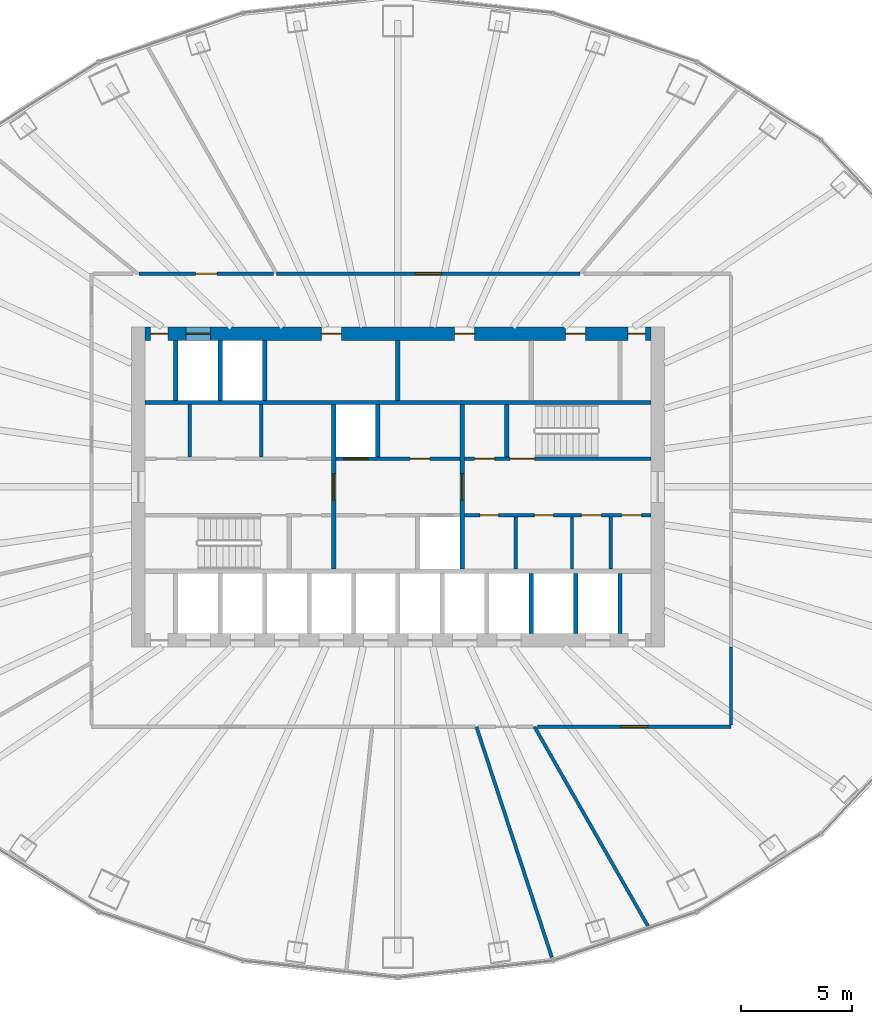
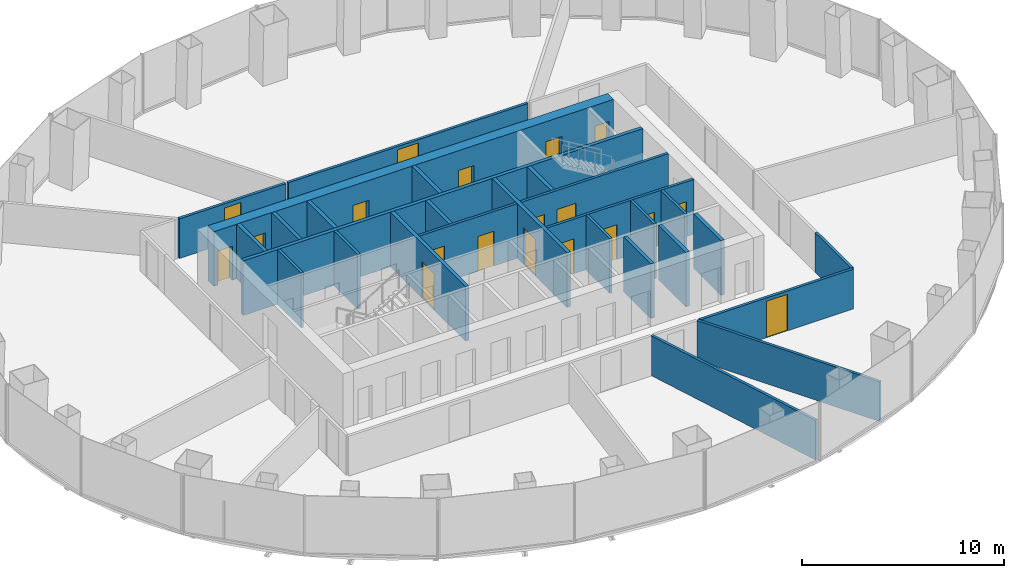
# One storey, part 9 of 11: 27 walls, 19 doors, 19 openings.
"""IFC4 building model written with IfcOpenShell, lengths in metres."""

from ifc_helpers import new_model, si_unit, direction, frame, frame_2d, origin, place, context, subcontext, project, spatial, rectangle, extrude, material, layer, layer_set, type_object, element, fill, save


model = new_model("IFC4")

# Units and contexts
model_context = context("Model", 3, precision=1e-05, world=origin(), true_north=direction((0.0, 1.0)))
body_context = subcontext(model_context, "Body", "Model", "MODEL_VIEW")
ifc_project = project(units=[si_unit("LENGTHUNIT", "METRE"), si_unit("AREAUNIT", "SQUARE_METRE"), si_unit("VOLUMEUNIT", "CUBIC_METRE"), si_unit("PLANEANGLEUNIT", "RADIAN"), si_unit("MASSUNIT", "GRAM", prefix="KILO")], contexts=[model_context])

# Site, building, storey
site_placement = place(None, origin())
site = spatial("IfcSite", under=ifc_project, at=site_placement, CompositionType="ELEMENT")
building_placement = place(site_placement, origin())
building = spatial("IfcBuilding", under=site, at=building_placement, Name="Siaravel Broadcast Tower", CompositionType="ELEMENT")
storey_placement = place(building_placement, frame((0.0, 0.0, 74.10009765625)))
storey = spatial("IfcBuildingStorey", under=building, at=storey_placement, Name="L17", CompositionType="ELEMENT", Elevation=74.10009765625)

# Walls
ifc_material_1 = material(Name="Concrete blockwork", Category="masonry")
ifc_layer_1 = layer(ifc_material_1, 0.14990234375)
ifc_layer_set_1 = layer_set([ifc_layer_1], Name="Concrete blockwork")
wall_type_1 = type_object("IfcWallType", Name="Core partition 150", PredefinedType="PARTITIONING", material=ifc_layer_set_1)
for number, where, z_axis, x_axis, name in (
    (1, (-9.381103515625, 1.35009765625, 0.0), (0.0, 0.0, 1.0), (0.0, 1.0, 0.0), "L17 core partition PNW0"),
    (2, (-6.153076171875, 1.35009765625, 0.0), (0.0, 0.0, 1.0), (0.0, 1.0, 0.0), "L17 core partition PNW1"),
    (3, (5.301025390625, -3.699951171875, 0.0), (0.0, 0.0, 1.0), (0.0, 1.0, 0.0), "L17 core partition PSE0"),
    (4, (7.8359375, -3.699951171875, 0.0), (0.0, 0.0, 1.0), (0.0, 1.0, 0.0), "L17 core partition PSE1"),
    (5, (9.575927734375, -3.699951171875, 0.0), (0.0, 0.0, 1.0), (0.0, 1.0, 0.0), "L17 core partition PSE2"),
):
    element("IfcWall", number, at=place(storey_placement, frame(where, z_axis=z_axis, x_axis=x_axis)), inside=storey, type_object=wall_type_1, Name=name, PredefinedType="PARTITIONING", context=body_context, shape_type="SweptSolid", body=[
        extrude(rectangle(XDim=2.349853515625, YDim=0.14990234375, at=frame_2d((1.1748046875, 0.0))), origin(), (0.0, 0.0, 1.0), 3.2998046875),
    ])
ifc_layer_2 = layer(ifc_material_1, 0.199951171875)
ifc_layer_set_2 = layer_set([ifc_layer_2], Name="Concrete blockwork")
wall_type_2 = type_object("IfcWallType", Name="Core partition 200", PredefinedType="PARTITIONING", material=ifc_layer_set_2)
wall_1_placement = place(storey_placement, frame((0.0, 3.89990234375, 0.0), z_axis=(0.0, 0.0, 1.0), x_axis=(0.0, 1.0, 0.0)))
element("IfcWall", 6, at=wall_1_placement, inside=storey, type_object=wall_type_2, Name="L17 core partition PFN2", PredefinedType="PARTITIONING", context=body_context, shape_type="SweptSolid", body=[
    extrude(rectangle(XDim=2.7001953125, YDim=0.199951171875, at=frame_2d((1.35009765625, 0.0))), origin(), (0.0, 0.0, 1.0), 3.2998046875),
])

# Wall, openings, doors
ifc_material_2 = material(Name="Concrete C60/75", Category="concrete")
ifc_layer_3 = layer(ifc_material_2, 0.60009765625)
ifc_layer_set_3 = layer_set([ifc_layer_3], Name="Concrete C60/75")
wall_type_3 = type_object("IfcWallType", Name="Core wall 600", PredefinedType="SHEAR", material=ifc_layer_set_3)
wall_2_placement = place(storey_placement, frame((-11.39990234375, 6.89990234375, 0.0), z_axis=(0.0, 0.0, 1.0), x_axis=(1.0, 0.0, 0.0)))
wall_2 = element("IfcWall", 7, at=wall_2_placement, inside=storey, type_object=wall_type_3, Name="L17 core wall ON", PredefinedType="SHEAR", context=body_context, shape_type="SweptSolid", body=[
    extrude(rectangle(XDim=22.7998046875, YDim=0.60009765625, at=frame_2d((11.39990234375, 0.0))), origin(), (0.0, 0.0, 1.0), 3.2998046875),
])
opening_1_placement = place(wall_2_placement, frame((1.85009765625, 0.0, 0.0)))
opening_1 = element("IfcOpeningElement", 8, at=opening_1_placement, cuts=wall_2, Name="Opening LD-SV2-L17", PredefinedType="OPENING", context=body_context, shape_type="SweptSolid", body=[
    extrude(rectangle(XDim=1.10009765625, YDim=2.199951171875, at=frame_2d((0.550048828125, 1.10009765625))), frame((0.0, 0.31005859375, 0.0), z_axis=(0.0, -1.0, 0.0), x_axis=(1.0, 0.0, 0.0)), (0.0, 0.0, 1.0), 0.6201171875),
])
opening_2_placement = place(wall_2_placement, frame((7.949951171875, 0.0, 0.0)))
opening_2 = element("IfcOpeningElement", 9, at=opening_2_placement, cuts=wall_2, Name="Opening L17-DFN2", PredefinedType="OPENING", context=body_context, shape_type="SweptSolid", body=[
    extrude(rectangle(XDim=0.89990234375, YDim=2.10009765625, at=frame_2d((0.449951171875, 1.050048828125))), frame((0.0, 0.31005859375, 0.0), z_axis=(0.0, -1.0, 0.0), x_axis=(1.0, 0.0, 0.0)), (0.0, 0.0, 1.0), 0.6201171875),
])
opening_3_placement = place(wall_2_placement, frame((13.949951171875, 0.0, 0.0)))
opening_3 = element("IfcOpeningElement", 10, at=opening_3_placement, cuts=wall_2, Name="Opening L17-DFN5", PredefinedType="OPENING", context=body_context, shape_type="SweptSolid", body=[
    extrude(rectangle(XDim=0.89990234375, YDim=2.10009765625, at=frame_2d((0.449951171875, 1.050048828125))), frame((0.0, 0.31005859375, 0.0), z_axis=(0.0, -1.0, 0.0), x_axis=(1.0, 0.0, 0.0)), (0.0, 0.0, 1.0), 0.6201171875),
])
opening_4_placement = place(wall_2_placement, frame((18.949951171875, 0.0, 0.0)))
opening_4 = element("IfcOpeningElement", 11, at=opening_4_placement, cuts=wall_2, Name="Opening L17-DFN8", PredefinedType="OPENING", context=body_context, shape_type="SweptSolid", body=[
    extrude(rectangle(XDim=0.89990234375, YDim=2.10009765625, at=frame_2d((0.449951171875, 1.050048828125))), frame((0.0, 0.31005859375, 0.0), z_axis=(0.0, -1.0, 0.0), x_axis=(1.0, 0.0, 0.0)), (0.0, 0.0, 1.0), 0.6201171875),
])
opening_5_placement = place(wall_2_placement, frame((0.25, 0.0, 0.0)))
opening_5 = element("IfcOpeningElement", 12, at=opening_5_placement, cuts=wall_2, Name="Opening L17-DRNW", PredefinedType="OPENING", context=body_context, shape_type="SweptSolid", body=[
    extrude(rectangle(XDim=0.800048828125, YDim=2.050048828125, at=frame_2d((0.39990234375, 1.02490234375))), frame((0.0, 0.31005859375, 0.0), z_axis=(0.0, -1.0, 0.0), x_axis=(1.0, 0.0, 0.0)), (0.0, 0.0, 1.0), 0.6201171875),
])
opening_6_placement = place(wall_2_placement, frame((21.75, 0.0, 0.0)))
opening_6 = element("IfcOpeningElement", 13, at=opening_6_placement, cuts=wall_2, Name="Opening L17-DRNE", PredefinedType="OPENING", context=body_context, shape_type="SweptSolid", body=[
    extrude(rectangle(XDim=0.800048828125, YDim=2.050048828125, at=frame_2d((0.39990234375, 1.02490234375))), frame((0.0, 0.31005859375, 0.0), z_axis=(0.0, -1.0, 0.0), x_axis=(1.0, 0.0, 0.0)), (0.0, 0.0, 1.0), 0.6201171875),
])
ifc_material_3 = material(Name="Timber veneer", Category="wood")
door_type_1 = type_object("IfcDoorType", Name="Core room door 900", OperationType="SINGLE_SWING_LEFT", PredefinedType="DOOR", material=ifc_material_3)
door_1_placement = place(opening_2_placement, origin())
door_1 = element("IfcDoor", 14, at=door_1_placement, inside=storey, type_object=door_type_1, Name="L17 door DFN2", OperationType="SINGLE_SWING_LEFT", OverallHeight=2.10009765625, OverallWidth=0.89990234375, PredefinedType="DOOR", context=body_context, shape_type="SweptSolid", body=[
    extrude(rectangle(XDim=0.89990234375, YDim=2.10009765625, at=frame_2d((0.449951171875, 1.050048828125))), frame((0.0, 0.02490234375, 0.0), z_axis=(0.0, -1.0, 0.0), x_axis=(1.0, 0.0, 0.0)), (0.0, 0.0, 1.0), 0.050048828125),
])
fill(opening_2, door_1)
door_2_placement = place(opening_3_placement, origin())
door_2 = element("IfcDoor", 15, at=door_2_placement, inside=storey, type_object=door_type_1, Name="L17 door DFN5", OperationType="SINGLE_SWING_LEFT", OverallHeight=2.10009765625, OverallWidth=0.89990234375, PredefinedType="DOOR", context=body_context, shape_type="SweptSolid", body=[
    extrude(rectangle(XDim=0.89990234375, YDim=2.10009765625, at=frame_2d((0.449951171875, 1.050048828125))), frame((0.0, 0.02490234375, 0.0), z_axis=(0.0, -1.0, 0.0), x_axis=(1.0, 0.0, 0.0)), (0.0, 0.0, 1.0), 0.050048828125),
])
fill(opening_3, door_2)
door_3_placement = place(opening_4_placement, origin())
door_3 = element("IfcDoor", 16, at=door_3_placement, inside=storey, type_object=door_type_1, Name="L17 door DFN8", OperationType="SINGLE_SWING_LEFT", OverallHeight=2.10009765625, OverallWidth=0.89990234375, PredefinedType="DOOR", context=body_context, shape_type="SweptSolid", body=[
    extrude(rectangle(XDim=0.89990234375, YDim=2.10009765625, at=frame_2d((0.449951171875, 1.050048828125))), frame((0.0, 0.02490234375, 0.0), z_axis=(0.0, -1.0, 0.0), x_axis=(1.0, 0.0, 0.0)), (0.0, 0.0, 1.0), 0.050048828125),
])
fill(opening_4, door_3)
ifc_material_4 = material(Name="Steel", Category="steel")
door_type_2 = type_object("IfcDoorType", Name="Riser door 800", OperationType="SINGLE_SWING_LEFT", PredefinedType="DOOR", material=ifc_material_4)
door_4_placement = place(opening_5_placement, origin())
door_4 = element("IfcDoor", 17, at=door_4_placement, inside=storey, type_object=door_type_2, Name="L17 door DRNW", OperationType="SINGLE_SWING_LEFT", OverallHeight=2.050048828125, OverallWidth=0.800048828125, PredefinedType="DOOR", context=body_context, shape_type="SweptSolid", body=[
    extrude(rectangle(XDim=0.800048828125, YDim=2.050048828125, at=frame_2d((0.39990234375, 1.02490234375))), frame((0.0, 0.02490234375, 0.0), z_axis=(0.0, -1.0, 0.0), x_axis=(1.0, 0.0, 0.0)), (0.0, 0.0, 1.0), 0.050048828125),
])
fill(opening_5, door_4)
door_5_placement = place(opening_6_placement, origin())
door_5 = element("IfcDoor", 18, at=door_5_placement, inside=storey, type_object=door_type_2, Name="L17 door DRNE", OperationType="SINGLE_SWING_LEFT", OverallHeight=2.050048828125, OverallWidth=0.800048828125, PredefinedType="DOOR", context=body_context, shape_type="SweptSolid", body=[
    extrude(rectangle(XDim=0.800048828125, YDim=2.050048828125, at=frame_2d((0.39990234375, 1.02490234375))), frame((0.0, 0.02490234375, 0.0), z_axis=(0.0, -1.0, 0.0), x_axis=(1.0, 0.0, 0.0)), (0.0, 0.0, 1.0), 0.050048828125),
])
fill(opening_6, door_5)
ifc_material_5 = material(Name="Stainless steel 316L", Category="steel")
door_type_3 = type_object("IfcDoorType", Name="Service lift landing door 1100", OperationType="DOUBLE_DOOR_SLIDING", PredefinedType="DOOR", material=ifc_material_5)
door_6_placement = place(opening_1_placement, origin())
door_6 = element("IfcDoor", 19, at=door_6_placement, inside=storey, type_object=door_type_3, Name="Landing door SV2 L17", OperationType="DOUBLE_DOOR_SLIDING", OverallHeight=2.199951171875, OverallWidth=1.10009765625, PredefinedType="DOOR", context=body_context, shape_type="SweptSolid", body=[
    extrude(rectangle(XDim=1.10009765625, YDim=2.199951171875, at=frame_2d((0.550048828125, 1.10009765625))), frame((0.0, 0.02490234375, 0.0), z_axis=(0.0, -1.0, 0.0), x_axis=(1.0, 0.0, 0.0)), (0.0, 0.0, 1.0), 0.050048828125),
])
fill(opening_1, door_6)

ifc_material_6 = material(Name="Gypsum board partition", Category="gypsum")
ifc_layer_4 = layer(ifc_material_6, 0.14990234375)
ifc_layer_set_4 = layer_set([ifc_layer_4], Name="Gypsum board partition")
wall_type_4 = type_object("IfcWallType", Name="Corridor wall 150", PredefinedType="PARTITIONING", material=ifc_layer_set_4)
wall_3_placement = place(storey_placement, frame((3.0, -1.27490234375, 0.0), z_axis=(0.0, 0.0, 1.0), x_axis=(1.0, 0.0, 0.0)))
wall_3 = element("IfcWall", 20, at=wall_3_placement, inside=storey, type_object=wall_type_4, Name="L17 core partition CSE", PredefinedType="PARTITIONING", context=body_context, shape_type="SweptSolid", body=[
    extrude(rectangle(XDim=8.39990234375, YDim=0.14990234375, at=frame_2d((4.199951171875, 0.0))), origin(), (0.0, 0.0, 1.0), 3.2998046875),
])
opening_7_placement = place(wall_3_placement, frame((0.68798828125, 0.0, 0.0)))
opening_7 = element("IfcOpeningElement", 21, at=opening_7_placement, cuts=wall_3, Name="Opening L17-DSE0", PredefinedType="OPENING", context=body_context, shape_type="SweptSolid", body=[
    extrude(rectangle(XDim=0.85009765625, YDim=2.10009765625, at=frame_2d((0.425048828125, 1.050048828125))), frame((0.0, 0.0849609375, 0.0), z_axis=(0.0, -1.0, 0.0), x_axis=(1.0, 0.0, 0.0)), (0.0, 0.0, 1.0), 0.169921875),
])
opening_8_placement = place(wall_3_placement, frame((3.1435546875, 0.0, 0.0)))
opening_8 = element("IfcOpeningElement", 22, at=opening_8_placement, cuts=wall_3, Name="Opening L17-DSE1", PredefinedType="OPENING", context=body_context, shape_type="SweptSolid", body=[
    extrude(rectangle(XDim=0.85009765625, YDim=2.10009765625, at=frame_2d((0.425048828125, 1.050048828125))), frame((0.0, 0.0849609375, 0.0), z_axis=(0.0, -1.0, 0.0), x_axis=(1.0, 0.0, 0.0)), (0.0, 0.0, 1.0), 0.169921875),
])
opening_9_placement = place(wall_3_placement, frame((5.256103515625, 0.0, 0.0)))
opening_9 = element("IfcOpeningElement", 23, at=opening_9_placement, cuts=wall_3, Name="Opening L17-DSE2", PredefinedType="OPENING", context=body_context, shape_type="SweptSolid", body=[
    extrude(rectangle(XDim=0.89990234375, YDim=2.10009765625, at=frame_2d((0.449951171875, 1.050048828125))), frame((0.0, 0.0849609375, 0.0), z_axis=(0.0, -1.0, 0.0), x_axis=(1.0, 0.0, 0.0)), (0.0, 0.0, 1.0), 0.169921875),
])
opening_10_placement = place(wall_3_placement, frame((7.075439453125, 0.0, 0.0)))
opening_10 = element("IfcOpeningElement", 24, at=opening_10_placement, cuts=wall_3, Name="Opening L17-DSE3", PredefinedType="OPENING", context=body_context, shape_type="SweptSolid", body=[
    extrude(rectangle(XDim=0.89990234375, YDim=2.10009765625, at=frame_2d((0.449951171875, 1.050048828125))), frame((0.0, 0.0849609375, 0.0), z_axis=(0.0, -1.0, 0.0), x_axis=(1.0, 0.0, 0.0)), (0.0, 0.0, 1.0), 0.169921875),
])
door_7_placement = place(opening_9_placement, origin())
door_7 = element("IfcDoor", 25, at=door_7_placement, inside=storey, type_object=door_type_1, Name="L17 door DSE2", OperationType="SINGLE_SWING_LEFT", OverallHeight=2.10009765625, OverallWidth=0.89990234375, PredefinedType="DOOR", context=body_context, shape_type="SweptSolid", body=[
    extrude(rectangle(XDim=0.89990234375, YDim=2.10009765625, at=frame_2d((0.449951171875, 1.050048828125))), frame((0.0, 0.02490234375, 0.0), z_axis=(0.0, -1.0, 0.0), x_axis=(1.0, 0.0, 0.0)), (0.0, 0.0, 1.0), 0.050048828125),
])
fill(opening_9, door_7)
door_8_placement = place(opening_10_placement, origin())
door_8 = element("IfcDoor", 26, at=door_8_placement, inside=storey, type_object=door_type_1, Name="L17 door DSE3", OperationType="SINGLE_SWING_LEFT", OverallHeight=2.10009765625, OverallWidth=0.89990234375, PredefinedType="DOOR", context=body_context, shape_type="SweptSolid", body=[
    extrude(rectangle(XDim=0.89990234375, YDim=2.10009765625, at=frame_2d((0.449951171875, 1.050048828125))), frame((0.0, 0.02490234375, 0.0), z_axis=(0.0, -1.0, 0.0), x_axis=(1.0, 0.0, 0.0)), (0.0, 0.0, 1.0), 0.050048828125),
])
fill(opening_10, door_8)
door_type_4 = type_object("IfcDoorType", Name="Core toilet door 850", OperationType="SINGLE_SWING_LEFT", PredefinedType="DOOR", material=ifc_material_3)
door_9_placement = place(opening_7_placement, origin())
door_9 = element("IfcDoor", 27, at=door_9_placement, inside=storey, type_object=door_type_4, Name="L17 door DSE0", OperationType="SINGLE_SWING_LEFT", OverallHeight=2.10009765625, OverallWidth=0.85009765625, PredefinedType="DOOR", context=body_context, shape_type="SweptSolid", body=[
    extrude(rectangle(XDim=0.85009765625, YDim=2.10009765625, at=frame_2d((0.425048828125, 1.050048828125))), frame((0.0, 0.02490234375, 0.0), z_axis=(0.0, -1.0, 0.0), x_axis=(1.0, 0.0, 0.0)), (0.0, 0.0, 1.0), 0.050048828125),
])
fill(opening_7, door_9)
door_10_placement = place(opening_8_placement, origin())
door_10 = element("IfcDoor", 28, at=door_10_placement, inside=storey, type_object=door_type_4, Name="L17 door DSE1", OperationType="SINGLE_SWING_LEFT", OverallHeight=2.10009765625, OverallWidth=0.85009765625, PredefinedType="DOOR", context=body_context, shape_type="SweptSolid", body=[
    extrude(rectangle(XDim=0.85009765625, YDim=2.10009765625, at=frame_2d((0.425048828125, 1.050048828125))), frame((0.0, 0.02490234375, 0.0), z_axis=(0.0, -1.0, 0.0), x_axis=(1.0, 0.0, 0.0)), (0.0, 0.0, 1.0), 0.050048828125),
])
fill(opening_8, door_10)

# Wall, opening, door
wall_4_placement = place(storey_placement, frame((8.206298828125, 9.60009765625, 0.0), z_axis=(0.0, 0.0, 1.0), x_axis=(-1.0, 0.0, 0.0)))
wall_4 = element("IfcWall", 29, at=wall_4_placement, inside=storey, type_object=wall_type_4, Name="L17 partition 1", PredefinedType="PARTITIONING", context=body_context, shape_type="SweptSolid", body=[
    extrude(rectangle(XDim=13.67138671875, YDim=0.14990234375, at=frame_2d((6.835693359375, 0.0))), origin(), (0.0, 0.0, 1.0), 2.39990234375),
])
opening_11_placement = place(wall_4_placement, frame((6.23583984375, 0.0, 0.0)))
opening_11 = element("IfcOpeningElement", 30, at=opening_11_placement, cuts=wall_4, Name="Opening L17-005", PredefinedType="OPENING", context=body_context, shape_type="SweptSolid", body=[
    extrude(rectangle(XDim=1.199951171875, YDim=2.199951171875, at=frame_2d((0.60009765625, 1.10009765625))), frame((0.0, 0.0849609375, 0.0), z_axis=(0.0, -1.0, 0.0), x_axis=(1.0, 0.0, 0.0)), (0.0, 0.0, 1.0), 0.169921875),
])
door_type_5 = type_object("IfcDoorType", Name="Office double door 1200", OperationType="DOUBLE_DOOR_SINGLE_SWING", PredefinedType="DOOR", material=ifc_material_3)
door_11_placement = place(opening_11_placement, origin())
door_11 = element("IfcDoor", 31, at=door_11_placement, inside=storey, type_object=door_type_5, Name="L17 door to Open plan newsroom", OperationType="DOUBLE_DOOR_SINGLE_SWING", OverallHeight=2.199951171875, OverallWidth=1.199951171875, PredefinedType="DOOR", context=body_context, shape_type="SweptSolid", body=[
    extrude(rectangle(XDim=1.199951171875, YDim=2.199951171875, at=frame_2d((0.60009765625, 1.10009765625))), frame((0.0, 0.02490234375, 0.0), z_axis=(0.0, -1.0, 0.0), x_axis=(1.0, 0.0, 0.0)), (0.0, 0.0, 1.0), 0.050048828125),
])
fill(opening_11, door_11)

wall_5_placement = place(storey_placement, frame((6.279296875, -10.800048828125, 0.0), z_axis=(0.0, 0.0, 1.0), x_axis=(1.0, 0.0, 0.0)))
wall_5 = element("IfcWall", 32, at=wall_5_placement, inside=storey, type_object=wall_type_4, Name="L17 partition 13", PredefinedType="PARTITIONING", context=body_context, shape_type="SweptSolid", body=[
    extrude(rectangle(XDim=8.720703125, YDim=0.14990234375, at=frame_2d((4.3603515625, 0.0))), origin(), (0.0, 0.0, 1.0), 2.39990234375),
])
opening_12_placement = place(wall_5_placement, frame((3.760498046875, 0.0, 0.0)))
opening_12 = element("IfcOpeningElement", 33, at=opening_12_placement, cuts=wall_5, Name="Opening L17-001", PredefinedType="OPENING", context=body_context, shape_type="SweptSolid", body=[
    extrude(rectangle(XDim=1.199951171875, YDim=2.199951171875, at=frame_2d((0.60009765625, 1.10009765625))), frame((0.0, 0.0849609375, 0.0), z_axis=(0.0, -1.0, 0.0), x_axis=(1.0, 0.0, 0.0)), (0.0, 0.0, 1.0), 0.169921875),
])
door_12_placement = place(opening_12_placement, origin())
door_12 = element("IfcDoor", 34, at=door_12_placement, inside=storey, type_object=door_type_5, Name="L17 door to Open plan newsroom", OperationType="DOUBLE_DOOR_SINGLE_SWING", OverallHeight=2.199951171875, OverallWidth=1.199951171875, PredefinedType="DOOR", context=body_context, shape_type="SweptSolid", body=[
    extrude(rectangle(XDim=1.199951171875, YDim=2.199951171875, at=frame_2d((0.60009765625, 1.10009765625))), frame((0.0, 0.02490234375, 0.0), z_axis=(0.0, -1.0, 0.0), x_axis=(1.0, 0.0, 0.0)), (0.0, 0.0, 1.0), 0.050048828125),
])
fill(opening_12, door_12)

wall_6_placement = place(storey_placement, frame((-5.59619140625, 9.60009765625, 0.0), z_axis=(0.0, 0.0, 1.0), x_axis=(-1.0, 0.0, 0.0)))
wall_6 = element("IfcWall", 35, at=wall_6_placement, inside=storey, type_object=wall_type_4, Name="L17 partition 16", PredefinedType="PARTITIONING", context=body_context, shape_type="SweptSolid", body=[
    extrude(rectangle(XDim=6.07421875, YDim=0.14990234375, at=frame_2d((3.037109375, 0.0))), origin(), (0.0, 0.0, 1.0), 2.39990234375),
])
opening_13_placement = place(wall_6_placement, frame((2.562255859375, 0.0, 0.0)))
opening_13 = element("IfcOpeningElement", 36, at=opening_13_placement, cuts=wall_6, Name="Opening L17-006", PredefinedType="OPENING", context=body_context, shape_type="SweptSolid", body=[
    extrude(rectangle(XDim=0.949951171875, YDim=2.14990234375, at=frame_2d((0.47509765625, 1.074951171875))), frame((0.0, 0.0849609375, 0.0), z_axis=(0.0, -1.0, 0.0), x_axis=(1.0, 0.0, 0.0)), (0.0, 0.0, 1.0), 0.169921875),
])
door_type_6 = type_object("IfcDoorType", Name="Office door 950", OperationType="SINGLE_SWING_LEFT", PredefinedType="DOOR", material=ifc_material_3)
door_13_placement = place(opening_13_placement, origin())
door_13 = element("IfcDoor", 37, at=door_13_placement, inside=storey, type_object=door_type_6, Name="L17 door to Production office", OperationType="SINGLE_SWING_RIGHT", OverallHeight=2.14990234375, OverallWidth=0.949951171875, PredefinedType="DOOR", context=body_context, shape_type="SweptSolid", body=[
    extrude(rectangle(XDim=0.949951171875, YDim=2.14990234375, at=frame_2d((0.47509765625, 1.074951171875))), frame((0.0, 0.02490234375, 0.0), z_axis=(0.0, -1.0, 0.0), x_axis=(1.0, 0.0, 0.0)), (0.0, 0.0, 1.0), 0.050048828125),
])
fill(opening_13, door_13)

# Walls
wall_7_placement = place(storey_placement, frame((15.0, -10.722900390625, 0.0), z_axis=(0.0, 0.0, 1.0), x_axis=(0.0, 1.0, 0.0)))
element("IfcWall", 38, at=wall_7_placement, inside=storey, type_object=wall_type_4, Name="L17 partition 20", PredefinedType="PARTITIONING", context=body_context, shape_type="SweptSolid", body=[
    extrude(rectangle(XDim=3.510009765625, YDim=0.14990234375, at=frame_2d((1.7548828125, 0.0))), origin(), (0.0, 0.0, 1.0), 2.39990234375),
])
ifc_layer_5 = layer(ifc_material_6, 0.14990234375)
ifc_layer_set_5 = layer_set([ifc_layer_5], Name="Gypsum board partition")
wall_type_5 = type_object("IfcWallType", Name="Room partition 150", PredefinedType="PARTITIONING", material=ifc_layer_set_5)
wall_8_placement = place(storey_placement, frame((6.928466796875, -21.179931640625, 0.0), z_axis=(0.0, 0.0, 1.0), x_axis=(-0.310911297, 0.950438933, 0.0)))
element("IfcWall", 39, at=wall_8_placement, inside=storey, type_object=wall_type_5, Name="L17 partition 8", PredefinedType="PARTITIONING", context=body_context, shape_type="SweptSolid", body=[
    extrude(rectangle(XDim=10.921142578125, YDim=0.14990234375, at=frame_2d((5.46044921875, 0.0))), origin(), (0.0, 0.0, 1.0), 2.39990234375),
])
wall_9_placement = place(storey_placement, frame((6.148193359375, -10.800048828125, 0.0), z_axis=(0.0, 0.0, 1.0), x_axis=(0.494733163, -0.869044934, 0.0)))
element("IfcWall", 40, at=wall_9_placement, inside=storey, type_object=wall_type_5, Name="L17 partition 9", PredefinedType="PARTITIONING", context=body_context, shape_type="SweptSolid", body=[
    extrude(rectangle(XDim=10.44091796875, YDim=0.14990234375, at=frame_2d((5.220458984375, 0.0))), origin(), (0.0, 0.0, 1.0), 2.39990234375),
])

# Wall, openings, doors
ifc_layer_6 = layer(ifc_material_2, 0.14990234375)
ifc_layer_set_6 = layer_set([ifc_layer_6], Name="Concrete C60/75")
wall_type_6 = type_object("IfcWallType", Name="Shaft wall 150", PredefinedType="SHEAR", material=ifc_layer_set_6)
wall_10_placement = place(storey_placement, frame((-2.800048828125, 1.27490234375, 0.0), z_axis=(0.0, 0.0, 1.0), x_axis=(1.0, 0.0, 0.0)))
wall_10 = element("IfcWall", 41, at=wall_10_placement, inside=storey, type_object=wall_type_6, Name="L17 core wall CNM", PredefinedType="SHEAR", context=body_context, shape_type="SweptSolid", body=[
    extrude(rectangle(XDim=5.60009765625, YDim=0.14990234375, at=frame_2d((2.800048828125, 0.0))), origin(), (0.0, 0.0, 1.0), 3.2998046875),
])
opening_14_placement = place(wall_10_placement, frame((0.35009765625, 0.0, 0.0)))
opening_14 = element("IfcOpeningElement", 42, at=opening_14_placement, cuts=wall_10, Name="Opening LD-FL1-L17", PredefinedType="OPENING", context=body_context, shape_type="SweptSolid", body=[
    extrude(rectangle(XDim=1.10009765625, YDim=2.199951171875, at=frame_2d((0.550048828125, 1.10009765625))), frame((0.0, 0.0849609375, 0.0), z_axis=(0.0, -1.0, 0.0), x_axis=(1.0, 0.0, 0.0)), (0.0, 0.0, 1.0), 0.169921875),
])
opening_15_placement = place(wall_10_placement, frame((3.35009765625, 0.0, 0.0)))
opening_15 = element("IfcOpeningElement", 43, at=opening_15_placement, cuts=wall_10, Name="Opening L17-DNM0", PredefinedType="OPENING", context=body_context, shape_type="SweptSolid", body=[
    extrude(rectangle(XDim=0.89990234375, YDim=2.10009765625, at=frame_2d((0.449951171875, 1.050048828125))), frame((0.0, 0.0849609375, 0.0), z_axis=(0.0, -1.0, 0.0), x_axis=(1.0, 0.0, 0.0)), (0.0, 0.0, 1.0), 0.169921875),
])
door_14_placement = place(opening_15_placement, origin())
door_14 = element("IfcDoor", 44, at=door_14_placement, inside=storey, type_object=door_type_1, Name="L17 door DNM0", OperationType="SINGLE_SWING_LEFT", OverallHeight=2.10009765625, OverallWidth=0.89990234375, PredefinedType="DOOR", context=body_context, shape_type="SweptSolid", body=[
    extrude(rectangle(XDim=0.89990234375, YDim=2.10009765625, at=frame_2d((0.449951171875, 1.050048828125))), frame((0.0, 0.02490234375, 0.0), z_axis=(0.0, -1.0, 0.0), x_axis=(1.0, 0.0, 0.0)), (0.0, 0.0, 1.0), 0.050048828125),
])
fill(opening_15, door_14)
door_type_7 = type_object("IfcDoorType", Name="Firefighting lift landing door 1100", OperationType="DOUBLE_DOOR_SLIDING", PredefinedType="DOOR", material=ifc_material_5)
door_15_placement = place(opening_14_placement, origin())
door_15 = element("IfcDoor", 45, at=door_15_placement, inside=storey, type_object=door_type_7, Name="Landing door FL1 L17", OperationType="DOUBLE_DOOR_SLIDING", OverallHeight=2.199951171875, OverallWidth=1.10009765625, PredefinedType="DOOR", context=body_context, shape_type="SweptSolid", body=[
    extrude(rectangle(XDim=1.10009765625, YDim=2.199951171875, at=frame_2d((0.550048828125, 1.10009765625))), frame((0.0, 0.02490234375, 0.0), z_axis=(0.0, -1.0, 0.0), x_axis=(1.0, 0.0, 0.0)), (0.0, 0.0, 1.0), 0.050048828125),
])
fill(opening_14, door_15)

wall_11_placement = place(storey_placement, frame((3.0, 1.27490234375, 0.0), z_axis=(0.0, 0.0, 1.0), x_axis=(1.0, 0.0, 0.0)))
wall_11 = element("IfcWall", 46, at=wall_11_placement, inside=storey, type_object=wall_type_6, Name="L17 core wall CNE", PredefinedType="SHEAR", context=body_context, shape_type="SweptSolid", body=[
    extrude(rectangle(XDim=8.39990234375, YDim=0.14990234375, at=frame_2d((4.199951171875, 0.0))), origin(), (0.0, 0.0, 1.0), 3.2998046875),
])
opening_16_placement = place(wall_11_placement, frame((2.050048828125, 0.0, 0.0)))
opening_16 = element("IfcOpeningElement", 47, at=opening_16_placement, cuts=wall_11, Name="Opening L17-DS-2", PredefinedType="OPENING", context=body_context, shape_type="SweptSolid", body=[
    extrude(rectangle(XDim=1.10009765625, YDim=2.14990234375, at=frame_2d((0.550048828125, 1.074951171875))), frame((0.0, 0.0849609375, 0.0), z_axis=(0.0, -1.0, 0.0), x_axis=(1.0, 0.0, 0.0)), (0.0, 0.0, 1.0), 0.169921875),
])
opening_17_placement = place(wall_11_placement, frame((0.449951171875, 0.0, 0.0)))
opening_17 = element("IfcOpeningElement", 48, at=opening_17_placement, cuts=wall_11, Name="Opening L17-DNE0", PredefinedType="OPENING", context=body_context, shape_type="SweptSolid", body=[
    extrude(rectangle(XDim=0.89990234375, YDim=2.10009765625, at=frame_2d((0.449951171875, 1.050048828125))), frame((0.0, 0.0849609375, 0.0), z_axis=(0.0, -1.0, 0.0), x_axis=(1.0, 0.0, 0.0)), (0.0, 0.0, 1.0), 0.169921875),
])
door_16_placement = place(opening_17_placement, origin())
door_16 = element("IfcDoor", 49, at=door_16_placement, inside=storey, type_object=door_type_1, Name="L17 door DNE0", OperationType="SINGLE_SWING_LEFT", OverallHeight=2.10009765625, OverallWidth=0.89990234375, PredefinedType="DOOR", context=body_context, shape_type="SweptSolid", body=[
    extrude(rectangle(XDim=0.89990234375, YDim=2.10009765625, at=frame_2d((0.449951171875, 1.050048828125))), frame((0.0, 0.02490234375, 0.0), z_axis=(0.0, -1.0, 0.0), x_axis=(1.0, 0.0, 0.0)), (0.0, 0.0, 1.0), 0.050048828125),
])
fill(opening_17, door_16)
door_type_8 = type_object("IfcDoorType", Name="Stair door 1100", OperationType="SINGLE_SWING_LEFT", PredefinedType="DOOR", material=ifc_material_4)
door_17_placement = place(opening_16_placement, origin())
door_17 = element("IfcDoor", 50, at=door_17_placement, inside=storey, type_object=door_type_8, Name="L17 door DS-2", OperationType="SINGLE_SWING_LEFT", OverallHeight=2.14990234375, OverallWidth=1.10009765625, PredefinedType="DOOR", context=body_context, shape_type="SweptSolid", body=[
    extrude(rectangle(XDim=1.10009765625, YDim=2.14990234375, at=frame_2d((0.550048828125, 1.074951171875))), frame((0.0, 0.02490234375, 0.0), z_axis=(0.0, -1.0, 0.0), x_axis=(1.0, 0.0, 0.0)), (0.0, 0.0, 1.0), 0.050048828125),
])
fill(opening_16, door_17)

# Walls
ifc_layer_7 = layer(ifc_material_2, 0.199951171875)
ifc_layer_set_7 = layer_set([ifc_layer_7], Name="Concrete C60/75")
wall_type_7 = type_object("IfcWallType", Name="Shaft wall 200", PredefinedType="SHEAR", material=ifc_layer_set_7)
wall_12_placement = place(storey_placement, frame((-11.39990234375, 3.800048828125, 0.0), z_axis=(0.0, 0.0, 1.0), x_axis=(1.0, 0.0, 0.0)))
element("IfcWall", 51, at=wall_12_placement, inside=storey, type_object=wall_type_7, Name="L17 core wall BN", PredefinedType="SHEAR", context=body_context, shape_type="SweptSolid", body=[
    extrude(rectangle(XDim=22.7998046875, YDim=0.199951171875, at=frame_2d((11.39990234375, 0.0))), origin(), (0.0, 0.0, 1.0), 3.2998046875),
])
for number, where, z_axis, x_axis, name in (
    (52, (6.0, -6.60009765625, 0.0), (0.0, 0.0, 1.0), (0.0, 1.0, 0.0), "L17 core wall SWS8"),
    (53, (8.0, -6.60009765625, 0.0), (0.0, 0.0, 1.0), (0.0, 1.0, 0.0), "L17 core wall SWS9"),
    (54, (10.0, -6.60009765625, 0.0), (0.0, 0.0, 1.0), (0.0, 1.0, 0.0), "L17 core wall SWS10"),
    (55, (-10.0, 3.89990234375, 0.0), (0.0, 0.0, 1.0), (0.0, 1.0, 0.0), "L17 core wall SWN0"),
    (56, (-8.0, 3.89990234375, 0.0), (0.0, 0.0, 1.0), (0.0, 1.0, 0.0), "L17 core wall SWN1"),
    (57, (-6.0, 3.89990234375, 0.0), (0.0, 0.0, 1.0), (0.0, 1.0, 0.0), "L17 core wall SWN2"),
):
    element("IfcWall", number, at=place(storey_placement, frame(where, z_axis=z_axis, x_axis=x_axis)), inside=storey, type_object=wall_type_7, Name=name, PredefinedType="SHEAR", context=body_context, shape_type="SweptSolid", body=[
        extrude(rectangle(XDim=2.7001953125, YDim=0.199951171875, at=frame_2d((1.35009765625, 0.0))), origin(), (0.0, 0.0, 1.0), 3.2998046875),
    ])

# Wall, opening, door
wall_13_placement = place(storey_placement, frame((-2.89990234375, -3.699951171875, 0.0), z_axis=(0.0, 0.0, 1.0), x_axis=(0.0, 1.0, 0.0)))
wall_13 = element("IfcWall", 58, at=wall_13_placement, inside=storey, type_object=wall_type_7, Name="L17 core wall LW", PredefinedType="SHEAR", context=body_context, shape_type="SweptSolid", body=[
    extrude(rectangle(XDim=7.39990234375, YDim=0.199951171875, at=frame_2d((3.699951171875, 0.0))), origin(), (0.0, 0.0, 1.0), 3.2998046875),
])
opening_18_placement = place(wall_13_placement, frame((3.10009765625, 0.0, 0.0)))
opening_18 = element("IfcOpeningElement", 59, at=opening_18_placement, cuts=wall_13, Name="Opening L17-DL-W", PredefinedType="OPENING", context=body_context, shape_type="SweptSolid", body=[
    extrude(rectangle(XDim=1.199951171875, YDim=2.199951171875, at=frame_2d((0.60009765625, 1.10009765625))), frame((0.0, 0.10986328125, 0.0), z_axis=(0.0, -1.0, 0.0), x_axis=(1.0, 0.0, 0.0)), (0.0, 0.0, 1.0), 0.219970703125),
])
door_type_9 = type_object("IfcDoorType", Name="Firefighting lobby door 1200", OperationType="SINGLE_SWING_LEFT", PredefinedType="DOOR", material=ifc_material_4)
door_18_placement = place(opening_18_placement, origin())
door_18 = element("IfcDoor", 60, at=door_18_placement, inside=storey, type_object=door_type_9, Name="L17 door DL-W", OperationType="SINGLE_SWING_LEFT", OverallHeight=2.199951171875, OverallWidth=1.199951171875, PredefinedType="DOOR", context=body_context, shape_type="SweptSolid", body=[
    extrude(rectangle(XDim=1.199951171875, YDim=2.199951171875, at=frame_2d((0.60009765625, 1.10009765625))), frame((0.0, 0.02490234375, 0.0), z_axis=(0.0, -1.0, 0.0), x_axis=(1.0, 0.0, 0.0)), (0.0, 0.0, 1.0), 0.050048828125),
])
fill(opening_18, door_18)

wall_14_placement = place(storey_placement, frame((2.89990234375, -3.699951171875, 0.0), z_axis=(0.0, 0.0, 1.0), x_axis=(0.0, 1.0, 0.0)))
wall_14 = element("IfcWall", 61, at=wall_14_placement, inside=storey, type_object=wall_type_7, Name="L17 core wall LE", PredefinedType="SHEAR", context=body_context, shape_type="SweptSolid", body=[
    extrude(rectangle(XDim=7.39990234375, YDim=0.199951171875, at=frame_2d((3.699951171875, 0.0))), origin(), (0.0, 0.0, 1.0), 3.2998046875),
])
opening_19_placement = place(wall_14_placement, frame((3.10009765625, 0.0, 0.0)))
opening_19 = element("IfcOpeningElement", 62, at=opening_19_placement, cuts=wall_14, Name="Opening L17-DL-E", PredefinedType="OPENING", context=body_context, shape_type="SweptSolid", body=[
    extrude(rectangle(XDim=1.199951171875, YDim=2.199951171875, at=frame_2d((0.60009765625, 1.10009765625))), frame((0.0, 0.10986328125, 0.0), z_axis=(0.0, -1.0, 0.0), x_axis=(1.0, 0.0, 0.0)), (0.0, 0.0, 1.0), 0.219970703125),
])
door_19_placement = place(opening_19_placement, origin())
door_19 = element("IfcDoor", 63, at=door_19_placement, inside=storey, type_object=door_type_9, Name="L17 door DL-E", OperationType="SINGLE_SWING_LEFT", OverallHeight=2.199951171875, OverallWidth=1.199951171875, PredefinedType="DOOR", context=body_context, shape_type="SweptSolid", body=[
    extrude(rectangle(XDim=1.199951171875, YDim=2.199951171875, at=frame_2d((0.60009765625, 1.10009765625))), frame((0.0, 0.02490234375, 0.0), z_axis=(0.0, -1.0, 0.0), x_axis=(1.0, 0.0, 0.0)), (0.0, 0.0, 1.0), 0.050048828125),
])
fill(opening_19, door_19)

# Walls
for number, where, z_axis, x_axis, name in (
    (64, (-0.89990234375, 1.35009765625, 0.0), (0.0, 0.0, 1.0), (0.0, 1.0, 0.0), "L17 core wall FF1E"),
    (65, (4.89990234375, 1.35009765625, 0.0), (0.0, 0.0, 1.0), (0.0, 1.0, 0.0), "L17 core wall ST2W"),
):
    element("IfcWall", number, at=place(storey_placement, frame(where, z_axis=z_axis, x_axis=x_axis)), inside=storey, type_object=wall_type_7, Name=name, PredefinedType="SHEAR", context=body_context, shape_type="SweptSolid", body=[
        extrude(rectangle(XDim=2.349853515625, YDim=0.199951171875, at=frame_2d((1.1748046875, 0.0))), origin(), (0.0, 0.0, 1.0), 3.2998046875),
    ])

save(model, "model.ifc")
